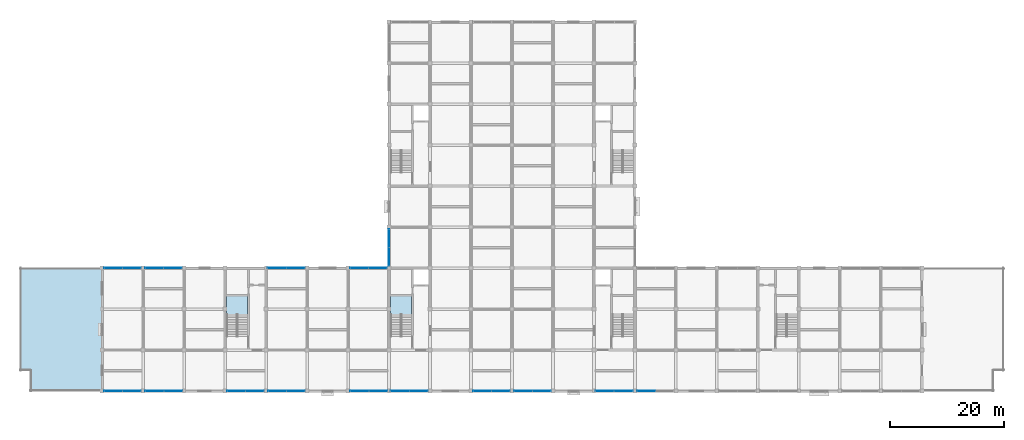
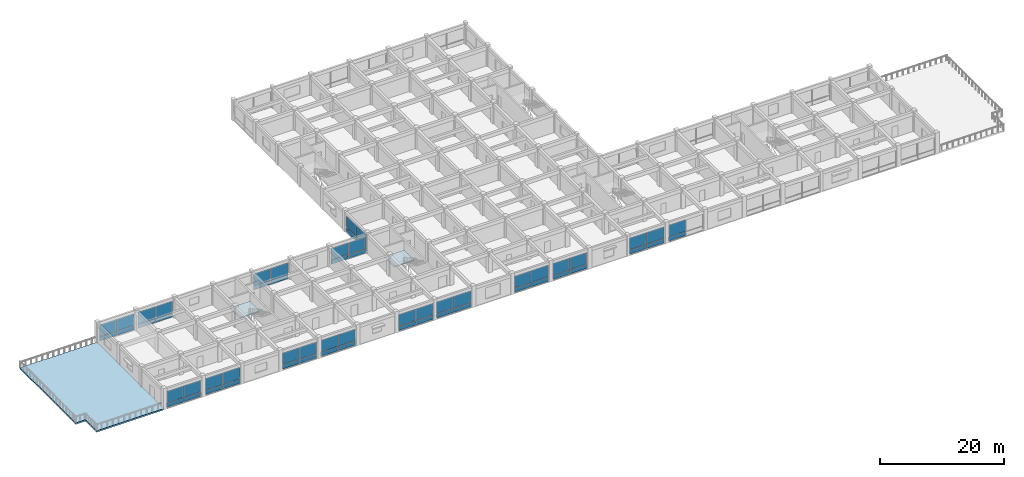
# One storey, part 16 of 31: 58 plates, 3 slabs, 17 elements without a shape of their own.
"""IFC4 building model written with IfcOpenShell, lengths in metres."""

from ifc_helpers import new_model, si_unit, direction, frame, origin, origin_2d, place, context, subcontext, project, spatial, polyline, rectangle, outline, extrude, material, layer, layer_set, type_object, element, aggregate, save


model = new_model("IFC4")

# Units and contexts
model_context = context("Model", 3, precision=1e-05, world=origin(), true_north=direction((0.0, 1.0)))
body_context = subcontext(model_context, "Body", "Model", "MODEL_VIEW")
ifc_project = project(units=[si_unit("LENGTHUNIT", "METRE"), si_unit("AREAUNIT", "SQUARE_METRE"), si_unit("VOLUMEUNIT", "CUBIC_METRE"), si_unit("PLANEANGLEUNIT", "RADIAN"), si_unit("MASSUNIT", "GRAM", prefix="KILO")], contexts=[model_context])

# Site, building, storey
site_placement = place(None, origin())
site = spatial("IfcSite", under=ifc_project, at=site_placement, CompositionType="ELEMENT")
building_placement = place(site_placement, origin())
building = spatial("IfcBuilding", under=site, at=building_placement, Name="Cendaluz Park School", CompositionType="ELEMENT")
storey_placement = place(building_placement, frame((0.0, 0.0, 14.39990234375)))
storey = spatial("IfcBuildingStorey", under=building, at=storey_placement, Name="L03", CompositionType="ELEMENT", Elevation=14.39990234375)

# Curtain wall, plates
ifc_material_1 = material(Name="Anodised Aluminium 6063-T6", Category="aluminium")
ifc_layer_1 = layer(ifc_material_1, 0.179931640625)
ifc_layer_set_1 = layer_set([ifc_layer_1], Name="Anodised Aluminium 6063-T6")
curtain_wall_type_1 = type_object("IfcCurtainWallType", Name="CW-132x66", PredefinedType="NOTDEFINED", material=ifc_layer_set_1)
curtain_wall_1_placement = place(storey_placement, origin())
curtain_wall_1 = element("IfcCurtainWall", 1, at=curtain_wall_1_placement, inside=storey, type_object=curtain_wall_type_1, Name="CW-L03-138", PredefinedType="NOTDEFINED")
ifc_material_2 = material(Name="Tempered Low-E Double Glazing", Category="glass")
ifc_layer_2 = layer(ifc_material_2, 0.028076171875)
ifc_layer_set_2 = layer_set([ifc_layer_2], Name="Tempered Low-E Double Glazing")
plate_type_1 = type_object("IfcPlateType", Name="CWP-G01", PredefinedType="CURTAIN_PANEL", material=ifc_layer_set_2)
plate_1_placement = place(storey_placement, frame((59.617431640625, 7.199951171875, 0.93505859375), z_axis=(0.0, 0.0, 1.0), x_axis=(1.0, 0.0, 0.0)))
plate_1 = element("IfcPlate", 2, at=plate_1_placement, type_object=plate_type_1, Name="CP-L03-1789", PredefinedType="CURTAIN_PANEL", context=body_context, shape_type="SweptSolid", body=[
    extrude(rectangle(XDim=3.195068359375, YDim=0.028076171875, at=origin_2d()), origin(), (0.0, 0.0, 1.0), 2.304931640625),
])
plate_2_placement = place(storey_placement, frame((62.882568359375, 7.199951171875, 0.93505859375), z_axis=(0.0, 0.0, 1.0), x_axis=(1.0, 0.0, 0.0)))
plate_2 = element("IfcPlate", 3, at=plate_2_placement, type_object=plate_type_1, Name="CP-L03-1794", PredefinedType="CURTAIN_PANEL", context=body_context, shape_type="SweptSolid", body=[
    extrude(rectangle(XDim=3.195068359375, YDim=0.028076171875, at=origin_2d()), origin(), (0.0, 0.0, 1.0), 2.304931640625),
])

ifc_layer_3 = layer(ifc_material_1, 0.179931640625)
ifc_layer_set_3 = layer_set([ifc_layer_3], Name="Anodised Aluminium 6063-T6")
curtain_wall_type_2 = type_object("IfcCurtainWallType", Name="CW-130x66", PredefinedType="NOTDEFINED", material=ifc_layer_set_3)
curtain_wall_2_placement = place(storey_placement, origin())
curtain_wall_2 = element("IfcCurtainWall", 4, at=curtain_wall_2_placement, inside=storey, type_object=curtain_wall_type_2, Name="CW-L03-139", PredefinedType="NOTDEFINED")
plate_3_placement = place(storey_placement, frame((59.592529296875, 28.800048828125, 0.93505859375), z_axis=(0.0, 0.0, 1.0), x_axis=(1.0, 0.0, 0.0)))
plate_3 = element("IfcPlate", 5, at=plate_3_placement, type_object=plate_type_1, Name="CP-L03-1802", PredefinedType="CURTAIN_PANEL", context=body_context, shape_type="SweptSolid", body=[
    extrude(rectangle(XDim=3.14501953125, YDim=0.028076171875, at=origin_2d()), origin(), (0.0, 0.0, 1.0), 2.304931640625),
])
plate_4_placement = place(storey_placement, frame((62.8076171875, 28.800048828125, 0.93505859375), z_axis=(0.0, 0.0, 1.0), x_axis=(1.0, 0.0, 0.0)))
plate_4 = element("IfcPlate", 6, at=plate_4_placement, type_object=plate_type_1, Name="CP-L03-1807", PredefinedType="CURTAIN_PANEL", context=body_context, shape_type="SweptSolid", body=[
    extrude(rectangle(XDim=3.14501953125, YDim=0.028076171875, at=origin_2d()), origin(), (0.0, 0.0, 1.0), 2.304931640625),
])

curtain_wall_3_placement = place(storey_placement, origin())
curtain_wall_3 = element("IfcCurtainWall", 7, at=curtain_wall_3_placement, inside=storey, type_object=curtain_wall_type_2, Name="CW-L03-146", PredefinedType="NOTDEFINED")
plate_5_placement = place(storey_placement, frame((88.392578125, 7.199951171875, 0.93505859375), z_axis=(0.0, 0.0, 1.0), x_axis=(1.0, 0.0, 0.0)))
plate_5 = element("IfcPlate", 8, at=plate_5_placement, type_object=plate_type_1, Name="CP-L03-1893", PredefinedType="CURTAIN_PANEL", context=body_context, shape_type="SweptSolid", body=[
    extrude(rectangle(XDim=3.14501953125, YDim=0.028076171875, at=origin_2d()), origin(), (0.0, 0.0, 1.0), 2.304931640625),
])
plate_6_placement = place(storey_placement, frame((91.607421875, 7.199951171875, 0.93505859375), z_axis=(0.0, 0.0, 1.0), x_axis=(1.0, 0.0, 0.0)))
plate_6 = element("IfcPlate", 9, at=plate_6_placement, type_object=plate_type_1, Name="CP-L03-1898", PredefinedType="CURTAIN_PANEL", context=body_context, shape_type="SweptSolid", body=[
    extrude(rectangle(XDim=3.14501953125, YDim=0.028076171875, at=origin_2d()), origin(), (0.0, 0.0, 1.0), 2.304931640625),
])

curtain_wall_4_placement = place(storey_placement, origin())
curtain_wall_4 = element("IfcCurtainWall", 10, at=curtain_wall_4_placement, inside=storey, type_object=curtain_wall_type_2, Name="CW-L03-135", PredefinedType="NOTDEFINED")
ifc_layer_4 = layer(ifc_material_2, 0.0380859375)
ifc_layer_set_4 = layer_set([ifc_layer_4], Name="Tempered Low-E Double Glazing")
plate_type_2 = type_object("IfcPlateType", Name="CWP-G02", PredefinedType="CURTAIN_PANEL", material=ifc_layer_set_4)
plate_7_placement = place(storey_placement, frame((37.992431640625, 7.199951171875, 0.93505859375), z_axis=(0.0, 0.0, 1.0), x_axis=(1.0, 0.0, 0.0)))
plate_7 = element("IfcPlate", 11, at=plate_7_placement, type_object=plate_type_2, Name="CP-L03-1750", PredefinedType="CURTAIN_PANEL", context=body_context, shape_type="SweptSolid", body=[
    extrude(rectangle(XDim=3.14501953125, YDim=0.0380859375, at=origin_2d()), origin(), (0.0, 0.0, 1.0), 2.304931640625),
])
plate_8_placement = place(storey_placement, frame((41.20751953125, 7.199951171875, 0.93505859375), z_axis=(0.0, 0.0, 1.0), x_axis=(1.0, 0.0, 0.0)))
plate_8 = element("IfcPlate", 12, at=plate_8_placement, type_object=plate_type_2, Name="CP-L03-1755", PredefinedType="CURTAIN_PANEL", context=body_context, shape_type="SweptSolid", body=[
    extrude(rectangle(XDim=3.14501953125, YDim=0.0380859375, at=origin_2d()), origin(), (0.0, 0.0, 1.0), 2.304931640625),
])

curtain_wall_5_placement = place(storey_placement, origin())
curtain_wall_5 = element("IfcCurtainWall", 13, at=curtain_wall_5_placement, inside=storey, type_object=curtain_wall_type_1, Name="CW-L03-140", PredefinedType="NOTDEFINED")
plate_9_placement = place(storey_placement, frame((66.717529296875, 7.199951171875, 0.93505859375), z_axis=(0.0, 0.0, 1.0), x_axis=(1.0, 0.0, 0.0)))
plate_9 = element("IfcPlate", 14, at=plate_9_placement, type_object=plate_type_2, Name="CP-L03-1815", PredefinedType="CURTAIN_PANEL", context=body_context, shape_type="SweptSolid", body=[
    extrude(rectangle(XDim=3.195068359375, YDim=0.0380859375, at=origin_2d()), origin(), (0.0, 0.0, 1.0), 2.304931640625),
])
plate_10_placement = place(storey_placement, frame((69.982421875, 7.199951171875, 0.93505859375), z_axis=(0.0, 0.0, 1.0), x_axis=(1.0, 0.0, 0.0)))
plate_10 = element("IfcPlate", 15, at=plate_10_placement, type_object=plate_type_2, Name="CP-L03-1820", PredefinedType="CURTAIN_PANEL", context=body_context, shape_type="SweptSolid", body=[
    extrude(rectangle(XDim=3.195068359375, YDim=0.0380859375, at=origin_2d()), origin(), (0.0, 0.0, 1.0), 2.304931640625),
])

curtain_wall_6_placement = place(storey_placement, origin())
curtain_wall_6 = element("IfcCurtainWall", 16, at=curtain_wall_6_placement, inside=storey, type_object=curtain_wall_type_2, Name="CW-L03-141", PredefinedType="NOTDEFINED")
plate_11_placement = place(storey_placement, frame((64.800048828125, 30.79248046875, 0.93505859375), z_axis=(0.0, 0.0, 1.0), x_axis=(0.0, 1.0, 0.0)))
plate_11 = element("IfcPlate", 17, at=plate_11_placement, type_object=plate_type_2, Name="CP-L03-1828", PredefinedType="CURTAIN_PANEL", context=body_context, shape_type="SweptSolid", body=[
    extrude(rectangle(XDim=3.14501953125, YDim=0.0380859375, at=origin_2d()), origin(), (0.0, 0.0, 1.0), 2.304931640625),
])
plate_12_placement = place(storey_placement, frame((64.800048828125, 34.007568359375, 0.93505859375), z_axis=(0.0, 0.0, 1.0), x_axis=(0.0, 1.0, 0.0)))
plate_12 = element("IfcPlate", 18, at=plate_12_placement, type_object=plate_type_2, Name="CP-L03-1833", PredefinedType="CURTAIN_PANEL", context=body_context, shape_type="SweptSolid", body=[
    extrude(rectangle(XDim=3.14501953125, YDim=0.0380859375, at=origin_2d()), origin(), (0.0, 0.0, 1.0), 2.304931640625),
])

curtain_wall_7_placement = place(storey_placement, origin())
curtain_wall_7 = element("IfcCurtainWall", 19, at=curtain_wall_7_placement, inside=storey, type_object=curtain_wall_type_2, Name="CW-L03-131", PredefinedType="NOTDEFINED")
ifc_layer_5 = layer(ifc_material_2, 0.048095703125)
ifc_layer_set_5 = layer_set([ifc_layer_5], Name="Tempered Low-E Double Glazing")
plate_type_3 = type_object("IfcPlateType", Name="CWP-G03", PredefinedType="CURTAIN_PANEL", material=ifc_layer_set_5)
plate_13_placement = place(storey_placement, frame((16.392578125, 7.199951171875, 0.93505859375), z_axis=(0.0, 0.0, 1.0), x_axis=(1.0, 0.0, 0.0)))
plate_13 = element("IfcPlate", 20, at=plate_13_placement, type_object=plate_type_3, Name="CP-L03-1698", PredefinedType="CURTAIN_PANEL", context=body_context, shape_type="SweptSolid", body=[
    extrude(rectangle(XDim=3.14501953125, YDim=0.048095703125, at=origin_2d()), origin(), (0.0, 0.0, 1.0), 2.304931640625),
])
plate_14_placement = place(storey_placement, frame((19.607421875, 7.199951171875, 0.93505859375), z_axis=(0.0, 0.0, 1.0), x_axis=(1.0, 0.0, 0.0)))
plate_14 = element("IfcPlate", 21, at=plate_14_placement, type_object=plate_type_3, Name="CP-L03-1703", PredefinedType="CURTAIN_PANEL", context=body_context, shape_type="SweptSolid", body=[
    extrude(rectangle(XDim=3.14501953125, YDim=0.048095703125, at=origin_2d()), origin(), (0.0, 0.0, 1.0), 2.304931640625),
])

curtain_wall_8_placement = place(storey_placement, origin())
curtain_wall_8 = element("IfcCurtainWall", 22, at=curtain_wall_8_placement, inside=storey, type_object=curtain_wall_type_2, Name="CW-L03-132", PredefinedType="NOTDEFINED")
plate_15_placement = place(storey_placement, frame((16.392578125, 28.800048828125, 0.93505859375), z_axis=(0.0, 0.0, 1.0), x_axis=(1.0, 0.0, 0.0)))
plate_15 = element("IfcPlate", 23, at=plate_15_placement, type_object=plate_type_3, Name="CP-L03-1711", PredefinedType="CURTAIN_PANEL", context=body_context, shape_type="SweptSolid", body=[
    extrude(rectangle(XDim=3.14501953125, YDim=0.048095703125, at=origin_2d()), origin(), (0.0, 0.0, 1.0), 2.304931640625),
])
plate_16_placement = place(storey_placement, frame((19.607421875, 28.800048828125, 0.93505859375), z_axis=(0.0, 0.0, 1.0), x_axis=(1.0, 0.0, 0.0)))
plate_16 = element("IfcPlate", 24, at=plate_16_placement, type_object=plate_type_3, Name="CP-L03-1716", PredefinedType="CURTAIN_PANEL", context=body_context, shape_type="SweptSolid", body=[
    extrude(rectangle(XDim=3.14501953125, YDim=0.048095703125, at=origin_2d()), origin(), (0.0, 0.0, 1.0), 2.304931640625),
])

curtain_wall_9_placement = place(storey_placement, origin())
curtain_wall_9 = element("IfcCurtainWall", 25, at=curtain_wall_9_placement, inside=storey, type_object=curtain_wall_type_2, Name="CW-L03-136", PredefinedType="NOTDEFINED")
plate_17_placement = place(storey_placement, frame((45.1923828125, 7.199951171875, 0.93505859375), z_axis=(0.0, 0.0, 1.0), x_axis=(1.0, 0.0, 0.0)))
plate_17 = element("IfcPlate", 26, at=plate_17_placement, type_object=plate_type_3, Name="CP-L03-1763", PredefinedType="CURTAIN_PANEL", context=body_context, shape_type="SweptSolid", body=[
    extrude(rectangle(XDim=3.14501953125, YDim=0.048095703125, at=origin_2d()), origin(), (0.0, 0.0, 1.0), 2.304931640625),
])
plate_18_placement = place(storey_placement, frame((48.407470703125, 7.199951171875, 0.93505859375), z_axis=(0.0, 0.0, 1.0), x_axis=(1.0, 0.0, 0.0)))
plate_18 = element("IfcPlate", 27, at=plate_18_placement, type_object=plate_type_3, Name="CP-L03-1768", PredefinedType="CURTAIN_PANEL", context=body_context, shape_type="SweptSolid", body=[
    extrude(rectangle(XDim=3.14501953125, YDim=0.048095703125, at=origin_2d()), origin(), (0.0, 0.0, 1.0), 2.304931640625),
])

curtain_wall_10_placement = place(storey_placement, origin())
curtain_wall_10 = element("IfcCurtainWall", 28, at=curtain_wall_10_placement, inside=storey, type_object=curtain_wall_type_1, Name="CW-L03-137", PredefinedType="NOTDEFINED")
plate_19_placement = place(storey_placement, frame((45.117431640625, 28.800048828125, 0.93505859375), z_axis=(0.0, 0.0, 1.0), x_axis=(1.0, 0.0, 0.0)))
plate_19 = element("IfcPlate", 29, at=plate_19_placement, type_object=plate_type_3, Name="CP-L03-1776", PredefinedType="CURTAIN_PANEL", context=body_context, shape_type="SweptSolid", body=[
    extrude(rectangle(XDim=3.195068359375, YDim=0.048095703125, at=origin_2d()), origin(), (0.0, 0.0, 1.0), 2.304931640625),
])
plate_20_placement = place(storey_placement, frame((48.382568359375, 28.800048828125, 0.93505859375), z_axis=(0.0, 0.0, 1.0), x_axis=(1.0, 0.0, 0.0)))
plate_20 = element("IfcPlate", 30, at=plate_20_placement, type_object=plate_type_3, Name="CP-L03-1781", PredefinedType="CURTAIN_PANEL", context=body_context, shape_type="SweptSolid", body=[
    extrude(rectangle(XDim=3.195068359375, YDim=0.048095703125, at=origin_2d()), origin(), (0.0, 0.0, 1.0), 2.304931640625),
])

curtain_wall_11_placement = place(storey_placement, origin())
curtain_wall_11 = element("IfcCurtainWall", 31, at=curtain_wall_11_placement, inside=storey, type_object=curtain_wall_type_1, Name="CW-L03-148", PredefinedType="NOTDEFINED")
plate_21_placement = place(storey_placement, frame((102.717529296875, 7.199951171875, 0.93505859375), z_axis=(0.0, 0.0, 1.0), x_axis=(1.0, 0.0, 0.0)))
plate_21 = element("IfcPlate", 32, at=plate_21_placement, type_object=plate_type_3, Name="CP-L03-1919", PredefinedType="CURTAIN_PANEL", context=body_context, shape_type="SweptSolid", body=[
    extrude(rectangle(XDim=3.195068359375, YDim=0.048095703125, at=origin_2d()), origin(), (0.0, 0.0, 1.0), 2.304931640625),
])
plate_22_placement = place(storey_placement, frame((105.982421875, 7.199951171875, 0.93505859375), z_axis=(0.0, 0.0, 1.0), x_axis=(1.0, 0.0, 0.0)))
plate_22 = element("IfcPlate", 33, at=plate_22_placement, type_object=plate_type_3, Name="CP-L03-1924", PredefinedType="CURTAIN_PANEL", context=body_context, shape_type="SweptSolid", body=[
    extrude(rectangle(XDim=3.195068359375, YDim=0.048095703125, at=origin_2d()), origin(), (0.0, 0.0, 1.0), 2.304931640625),
])

curtain_wall_12_placement = place(storey_placement, origin())
curtain_wall_12 = element("IfcCurtainWall", 34, at=curtain_wall_12_placement, inside=storey, type_object=curtain_wall_type_1, Name="CW-L03-133", PredefinedType="NOTDEFINED")
ifc_layer_6 = layer(ifc_material_2, 0.05810546875)
ifc_layer_set_6 = layer_set([ifc_layer_6], Name="Tempered Low-E Double Glazing")
plate_type_4 = type_object("IfcPlateType", Name="CWP-G04", PredefinedType="CURTAIN_PANEL", material=ifc_layer_set_6)
plate_23_placement = place(storey_placement, frame((23.617431640625, 7.199951171875, 0.93505859375), z_axis=(0.0, 0.0, 1.0), x_axis=(1.0, 0.0, 0.0)))
plate_23 = element("IfcPlate", 35, at=plate_23_placement, type_object=plate_type_4, Name="CP-L03-1724", PredefinedType="CURTAIN_PANEL", context=body_context, shape_type="SweptSolid", body=[
    extrude(rectangle(XDim=3.195068359375, YDim=0.05810546875, at=origin_2d()), origin(), (0.0, 0.0, 1.0), 2.304931640625),
])
plate_24_placement = place(storey_placement, frame((26.882568359375, 7.199951171875, 0.93505859375), z_axis=(0.0, 0.0, 1.0), x_axis=(1.0, 0.0, 0.0)))
plate_24 = element("IfcPlate", 36, at=plate_24_placement, type_object=plate_type_4, Name="CP-L03-1729", PredefinedType="CURTAIN_PANEL", context=body_context, shape_type="SweptSolid", body=[
    extrude(rectangle(XDim=3.195068359375, YDim=0.05810546875, at=origin_2d()), origin(), (0.0, 0.0, 1.0), 2.304931640625),
])

curtain_wall_13_placement = place(storey_placement, origin())
curtain_wall_13 = element("IfcCurtainWall", 37, at=curtain_wall_13_placement, inside=storey, type_object=curtain_wall_type_2, Name="CW-L03-134", PredefinedType="NOTDEFINED")
plate_25_placement = place(storey_placement, frame((23.592529296875, 28.800048828125, 0.93505859375), z_axis=(0.0, 0.0, 1.0), x_axis=(1.0, 0.0, 0.0)))
plate_25 = element("IfcPlate", 38, at=plate_25_placement, type_object=plate_type_4, Name="CP-L03-1737", PredefinedType="CURTAIN_PANEL", context=body_context, shape_type="SweptSolid", body=[
    extrude(rectangle(XDim=3.14501953125, YDim=0.05810546875, at=origin_2d()), origin(), (0.0, 0.0, 1.0), 2.304931640625),
])
plate_26_placement = place(storey_placement, frame((26.8076171875, 28.800048828125, 0.93505859375), z_axis=(0.0, 0.0, 1.0), x_axis=(1.0, 0.0, 0.0)))
plate_26 = element("IfcPlate", 39, at=plate_26_placement, type_object=plate_type_4, Name="CP-L03-1742", PredefinedType="CURTAIN_PANEL", context=body_context, shape_type="SweptSolid", body=[
    extrude(rectangle(XDim=3.14501953125, YDim=0.05810546875, at=origin_2d()), origin(), (0.0, 0.0, 1.0), 2.304931640625),
])

curtain_wall_14_placement = place(storey_placement, origin())
curtain_wall_14 = element("IfcCurtainWall", 40, at=curtain_wall_14_placement, inside=storey, type_object=curtain_wall_type_2, Name="CW-L03-144", PredefinedType="NOTDEFINED")
plate_27_placement = place(storey_placement, frame((81.1923828125, 7.199951171875, 0.93505859375), z_axis=(0.0, 0.0, 1.0), x_axis=(1.0, 0.0, 0.0)))
plate_27 = element("IfcPlate", 41, at=plate_27_placement, type_object=plate_type_4, Name="CP-L03-1867", PredefinedType="CURTAIN_PANEL", context=body_context, shape_type="SweptSolid", body=[
    extrude(rectangle(XDim=3.14501953125, YDim=0.05810546875, at=origin_2d()), origin(), (0.0, 0.0, 1.0), 2.304931640625),
])
plate_28_placement = place(storey_placement, frame((84.407470703125, 7.199951171875, 0.93505859375), z_axis=(0.0, 0.0, 1.0), x_axis=(1.0, 0.0, 0.0)))
plate_28 = element("IfcPlate", 42, at=plate_28_placement, type_object=plate_type_4, Name="CP-L03-1872", PredefinedType="CURTAIN_PANEL", context=body_context, shape_type="SweptSolid", body=[
    extrude(rectangle(XDim=3.14501953125, YDim=0.05810546875, at=origin_2d()), origin(), (0.0, 0.0, 1.0), 2.304931640625),
])

# Curtain wall, plate
curtain_wall_15_placement = place(storey_placement, origin())
curtain_wall_15 = element("IfcCurtainWall", 43, at=curtain_wall_15_placement, inside=storey, type_object=curtain_wall_type_2, Name="CW-L03-152", PredefinedType="NOTDEFINED")
plate_29_placement = place(storey_placement, frame((109.992431640625, 7.199951171875, 0.93505859375), z_axis=(0.0, 0.0, 1.0), x_axis=(1.0, 0.0, 0.0)))
plate_29 = element("IfcPlate", 44, at=plate_29_placement, type_object=plate_type_4, Name="CP-L03-1971", PredefinedType="CURTAIN_PANEL", context=body_context, shape_type="SweptSolid", body=[
    extrude(rectangle(XDim=3.14501953125, YDim=0.05810546875, at=origin_2d()), origin(), (0.0, 0.0, 1.0), 2.304931640625),
])

# Plate
ifc_layer_7 = layer(ifc_material_1, 0.080078125)
ifc_layer_set_7 = layer_set([ifc_layer_7], Name="Anodised Aluminium 6063-T6")
plate_type_5 = type_object("IfcPlateType", Name="CWP-S01", PredefinedType="CURTAIN_PANEL", material=ifc_layer_set_7)
plate_30_placement = place(storey_placement, frame((16.392578125, 28.800048828125, 0.070068359375), z_axis=(0.0, 0.0, 1.0), x_axis=(1.0, 0.0, 0.0)))
plate_30 = element("IfcPlate", 45, at=plate_30_placement, type_object=plate_type_5, Name="CP-L03-1710", PredefinedType="CURTAIN_PANEL", context=body_context, shape_type="SweptSolid", body=[
    extrude(rectangle(XDim=3.14501953125, YDim=0.080078125, at=origin_2d()), origin(), (0.0, 0.0, 1.0), 0.794921875),
])

plate_31_placement = place(storey_placement, frame((19.607421875, 28.800048828125, 0.070068359375), z_axis=(0.0, 0.0, 1.0), x_axis=(1.0, 0.0, 0.0)))
plate_31 = element("IfcPlate", 46, at=plate_31_placement, type_object=plate_type_5, Name="CP-L03-1715", PredefinedType="CURTAIN_PANEL", context=body_context, shape_type="SweptSolid", body=[
    extrude(rectangle(XDim=3.14501953125, YDim=0.080078125, at=origin_2d()), origin(), (0.0, 0.0, 1.0), 0.794921875),
])

aggregate(curtain_wall_8, [plate_30, plate_15, plate_31, plate_16])

plate_32_placement = place(storey_placement, frame((23.592529296875, 28.800048828125, 0.070068359375), z_axis=(0.0, 0.0, 1.0), x_axis=(1.0, 0.0, 0.0)))
plate_32 = element("IfcPlate", 47, at=plate_32_placement, type_object=plate_type_5, Name="CP-L03-1736", PredefinedType="CURTAIN_PANEL", context=body_context, shape_type="SweptSolid", body=[
    extrude(rectangle(XDim=3.14501953125, YDim=0.080078125, at=origin_2d()), origin(), (0.0, 0.0, 1.0), 0.794921875),
])

plate_33_placement = place(storey_placement, frame((26.8076171875, 28.800048828125, 0.070068359375), z_axis=(0.0, 0.0, 1.0), x_axis=(1.0, 0.0, 0.0)))
plate_33 = element("IfcPlate", 48, at=plate_33_placement, type_object=plate_type_5, Name="CP-L03-1741", PredefinedType="CURTAIN_PANEL", context=body_context, shape_type="SweptSolid", body=[
    extrude(rectangle(XDim=3.14501953125, YDim=0.080078125, at=origin_2d()), origin(), (0.0, 0.0, 1.0), 0.794921875),
])

aggregate(curtain_wall_13, [plate_32, plate_25, plate_33, plate_26])

plate_34_placement = place(storey_placement, frame((45.117431640625, 28.800048828125, 0.070068359375), z_axis=(0.0, 0.0, 1.0), x_axis=(1.0, 0.0, 0.0)))
plate_34 = element("IfcPlate", 49, at=plate_34_placement, type_object=plate_type_5, Name="CP-L03-1775", PredefinedType="CURTAIN_PANEL", context=body_context, shape_type="SweptSolid", body=[
    extrude(rectangle(XDim=3.195068359375, YDim=0.080078125, at=origin_2d()), origin(), (0.0, 0.0, 1.0), 0.794921875),
])

plate_35_placement = place(storey_placement, frame((48.382568359375, 28.800048828125, 0.070068359375), z_axis=(0.0, 0.0, 1.0), x_axis=(1.0, 0.0, 0.0)))
plate_35 = element("IfcPlate", 50, at=plate_35_placement, type_object=plate_type_5, Name="CP-L03-1780", PredefinedType="CURTAIN_PANEL", context=body_context, shape_type="SweptSolid", body=[
    extrude(rectangle(XDim=3.195068359375, YDim=0.080078125, at=origin_2d()), origin(), (0.0, 0.0, 1.0), 0.794921875),
])

aggregate(curtain_wall_10, [plate_34, plate_19, plate_35, plate_20])

plate_36_placement = place(storey_placement, frame((59.592529296875, 28.800048828125, 0.070068359375), z_axis=(0.0, 0.0, 1.0), x_axis=(1.0, 0.0, 0.0)))
plate_36 = element("IfcPlate", 51, at=plate_36_placement, type_object=plate_type_5, Name="CP-L03-1801", PredefinedType="CURTAIN_PANEL", context=body_context, shape_type="SweptSolid", body=[
    extrude(rectangle(XDim=3.14501953125, YDim=0.080078125, at=origin_2d()), origin(), (0.0, 0.0, 1.0), 0.794921875),
])

plate_37_placement = place(storey_placement, frame((62.8076171875, 28.800048828125, 0.070068359375), z_axis=(0.0, 0.0, 1.0), x_axis=(1.0, 0.0, 0.0)))
plate_37 = element("IfcPlate", 52, at=plate_37_placement, type_object=plate_type_5, Name="CP-L03-1806", PredefinedType="CURTAIN_PANEL", context=body_context, shape_type="SweptSolid", body=[
    extrude(rectangle(XDim=3.14501953125, YDim=0.080078125, at=origin_2d()), origin(), (0.0, 0.0, 1.0), 0.794921875),
])

aggregate(curtain_wall_2, [plate_36, plate_3, plate_37, plate_4])

plate_38_placement = place(storey_placement, frame((64.800048828125, 30.79248046875, 0.070068359375), z_axis=(0.0, 0.0, 1.0), x_axis=(0.0, 1.0, 0.0)))
plate_38 = element("IfcPlate", 53, at=plate_38_placement, type_object=plate_type_5, Name="CP-L03-1827", PredefinedType="CURTAIN_PANEL", context=body_context, shape_type="SweptSolid", body=[
    extrude(rectangle(XDim=3.14501953125, YDim=0.080078125, at=origin_2d()), origin(), (0.0, 0.0, 1.0), 0.794921875),
])

plate_39_placement = place(storey_placement, frame((64.800048828125, 34.007568359375, 0.070068359375), z_axis=(0.0, 0.0, 1.0), x_axis=(0.0, 1.0, 0.0)))
plate_39 = element("IfcPlate", 54, at=plate_39_placement, type_object=plate_type_5, Name="CP-L03-1832", PredefinedType="CURTAIN_PANEL", context=body_context, shape_type="SweptSolid", body=[
    extrude(rectangle(XDim=3.14501953125, YDim=0.080078125, at=origin_2d()), origin(), (0.0, 0.0, 1.0), 0.794921875),
])

aggregate(curtain_wall_6, [plate_38, plate_11, plate_39, plate_12])

ifc_layer_8 = layer(ifc_material_1, 0.094970703125)
ifc_layer_set_8 = layer_set([ifc_layer_8], Name="Anodised Aluminium 6063-T6")
plate_type_6 = type_object("IfcPlateType", Name="CWP-S02", PredefinedType="CURTAIN_PANEL", material=ifc_layer_set_8)
plate_40_placement = place(storey_placement, frame((16.392578125, 7.199951171875, 0.070068359375), z_axis=(0.0, 0.0, 1.0), x_axis=(1.0, 0.0, 0.0)))
plate_40 = element("IfcPlate", 55, at=plate_40_placement, type_object=plate_type_6, Name="CP-L03-1697", PredefinedType="CURTAIN_PANEL", context=body_context, shape_type="SweptSolid", body=[
    extrude(rectangle(XDim=3.14501953125, YDim=0.094970703125, at=origin_2d()), origin(), (0.0, 0.0, 1.0), 0.794921875),
])

plate_41_placement = place(storey_placement, frame((19.607421875, 7.199951171875, 0.070068359375), z_axis=(0.0, 0.0, 1.0), x_axis=(1.0, 0.0, 0.0)))
plate_41 = element("IfcPlate", 56, at=plate_41_placement, type_object=plate_type_6, Name="CP-L03-1702", PredefinedType="CURTAIN_PANEL", context=body_context, shape_type="SweptSolid", body=[
    extrude(rectangle(XDim=3.14501953125, YDim=0.094970703125, at=origin_2d()), origin(), (0.0, 0.0, 1.0), 0.794921875),
])

aggregate(curtain_wall_7, [plate_40, plate_13, plate_41, plate_14])

plate_42_placement = place(storey_placement, frame((23.617431640625, 7.199951171875, 0.070068359375), z_axis=(0.0, 0.0, 1.0), x_axis=(1.0, 0.0, 0.0)))
plate_42 = element("IfcPlate", 57, at=plate_42_placement, type_object=plate_type_6, Name="CP-L03-1723", PredefinedType="CURTAIN_PANEL", context=body_context, shape_type="SweptSolid", body=[
    extrude(rectangle(XDim=3.195068359375, YDim=0.094970703125, at=origin_2d()), origin(), (0.0, 0.0, 1.0), 0.794921875),
])

plate_43_placement = place(storey_placement, frame((26.882568359375, 7.199951171875, 0.070068359375), z_axis=(0.0, 0.0, 1.0), x_axis=(1.0, 0.0, 0.0)))
plate_43 = element("IfcPlate", 58, at=plate_43_placement, type_object=plate_type_6, Name="CP-L03-1728", PredefinedType="CURTAIN_PANEL", context=body_context, shape_type="SweptSolid", body=[
    extrude(rectangle(XDim=3.195068359375, YDim=0.094970703125, at=origin_2d()), origin(), (0.0, 0.0, 1.0), 0.794921875),
])

aggregate(curtain_wall_12, [plate_42, plate_23, plate_43, plate_24])

plate_44_placement = place(storey_placement, frame((37.992431640625, 7.199951171875, 0.070068359375), z_axis=(0.0, 0.0, 1.0), x_axis=(1.0, 0.0, 0.0)))
plate_44 = element("IfcPlate", 59, at=plate_44_placement, type_object=plate_type_6, Name="CP-L03-1749", PredefinedType="CURTAIN_PANEL", context=body_context, shape_type="SweptSolid", body=[
    extrude(rectangle(XDim=3.14501953125, YDim=0.094970703125, at=origin_2d()), origin(), (0.0, 0.0, 1.0), 0.794921875),
])

plate_45_placement = place(storey_placement, frame((41.20751953125, 7.199951171875, 0.070068359375), z_axis=(0.0, 0.0, 1.0), x_axis=(1.0, 0.0, 0.0)))
plate_45 = element("IfcPlate", 60, at=plate_45_placement, type_object=plate_type_6, Name="CP-L03-1754", PredefinedType="CURTAIN_PANEL", context=body_context, shape_type="SweptSolid", body=[
    extrude(rectangle(XDim=3.14501953125, YDim=0.094970703125, at=origin_2d()), origin(), (0.0, 0.0, 1.0), 0.794921875),
])

aggregate(curtain_wall_4, [plate_44, plate_7, plate_45, plate_8])

plate_46_placement = place(storey_placement, frame((45.1923828125, 7.199951171875, 0.070068359375), z_axis=(0.0, 0.0, 1.0), x_axis=(1.0, 0.0, 0.0)))
plate_46 = element("IfcPlate", 61, at=plate_46_placement, type_object=plate_type_6, Name="CP-L03-1762", PredefinedType="CURTAIN_PANEL", context=body_context, shape_type="SweptSolid", body=[
    extrude(rectangle(XDim=3.14501953125, YDim=0.094970703125, at=origin_2d()), origin(), (0.0, 0.0, 1.0), 0.794921875),
])

plate_47_placement = place(storey_placement, frame((48.407470703125, 7.199951171875, 0.070068359375), z_axis=(0.0, 0.0, 1.0), x_axis=(1.0, 0.0, 0.0)))
plate_47 = element("IfcPlate", 62, at=plate_47_placement, type_object=plate_type_6, Name="CP-L03-1767", PredefinedType="CURTAIN_PANEL", context=body_context, shape_type="SweptSolid", body=[
    extrude(rectangle(XDim=3.14501953125, YDim=0.094970703125, at=origin_2d()), origin(), (0.0, 0.0, 1.0), 0.794921875),
])

aggregate(curtain_wall_9, [plate_46, plate_17, plate_47, plate_18])

plate_48_placement = place(storey_placement, frame((59.617431640625, 7.199951171875, 0.070068359375), z_axis=(0.0, 0.0, 1.0), x_axis=(1.0, 0.0, 0.0)))
plate_48 = element("IfcPlate", 63, at=plate_48_placement, type_object=plate_type_6, Name="CP-L03-1788", PredefinedType="CURTAIN_PANEL", context=body_context, shape_type="SweptSolid", body=[
    extrude(rectangle(XDim=3.195068359375, YDim=0.094970703125, at=origin_2d()), origin(), (0.0, 0.0, 1.0), 0.794921875),
])

plate_49_placement = place(storey_placement, frame((62.882568359375, 7.199951171875, 0.070068359375), z_axis=(0.0, 0.0, 1.0), x_axis=(1.0, 0.0, 0.0)))
plate_49 = element("IfcPlate", 64, at=plate_49_placement, type_object=plate_type_6, Name="CP-L03-1793", PredefinedType="CURTAIN_PANEL", context=body_context, shape_type="SweptSolid", body=[
    extrude(rectangle(XDim=3.195068359375, YDim=0.094970703125, at=origin_2d()), origin(), (0.0, 0.0, 1.0), 0.794921875),
])

aggregate(curtain_wall_1, [plate_48, plate_1, plate_49, plate_2])

plate_50_placement = place(storey_placement, frame((66.717529296875, 7.199951171875, 0.070068359375), z_axis=(0.0, 0.0, 1.0), x_axis=(1.0, 0.0, 0.0)))
plate_50 = element("IfcPlate", 65, at=plate_50_placement, type_object=plate_type_6, Name="CP-L03-1814", PredefinedType="CURTAIN_PANEL", context=body_context, shape_type="SweptSolid", body=[
    extrude(rectangle(XDim=3.195068359375, YDim=0.094970703125, at=origin_2d()), origin(), (0.0, 0.0, 1.0), 0.794921875),
])

plate_51_placement = place(storey_placement, frame((69.982421875, 7.199951171875, 0.070068359375), z_axis=(0.0, 0.0, 1.0), x_axis=(1.0, 0.0, 0.0)))
plate_51 = element("IfcPlate", 66, at=plate_51_placement, type_object=plate_type_6, Name="CP-L03-1819", PredefinedType="CURTAIN_PANEL", context=body_context, shape_type="SweptSolid", body=[
    extrude(rectangle(XDim=3.195068359375, YDim=0.094970703125, at=origin_2d()), origin(), (0.0, 0.0, 1.0), 0.794921875),
])

aggregate(curtain_wall_5, [plate_50, plate_9, plate_51, plate_10])

plate_52_placement = place(storey_placement, frame((81.1923828125, 7.199951171875, 0.070068359375), z_axis=(0.0, 0.0, 1.0), x_axis=(1.0, 0.0, 0.0)))
plate_52 = element("IfcPlate", 67, at=plate_52_placement, type_object=plate_type_6, Name="CP-L03-1866", PredefinedType="CURTAIN_PANEL", context=body_context, shape_type="SweptSolid", body=[
    extrude(rectangle(XDim=3.14501953125, YDim=0.094970703125, at=origin_2d()), origin(), (0.0, 0.0, 1.0), 0.794921875),
])

plate_53_placement = place(storey_placement, frame((84.407470703125, 7.199951171875, 0.070068359375), z_axis=(0.0, 0.0, 1.0), x_axis=(1.0, 0.0, 0.0)))
plate_53 = element("IfcPlate", 68, at=plate_53_placement, type_object=plate_type_6, Name="CP-L03-1871", PredefinedType="CURTAIN_PANEL", context=body_context, shape_type="SweptSolid", body=[
    extrude(rectangle(XDim=3.14501953125, YDim=0.094970703125, at=origin_2d()), origin(), (0.0, 0.0, 1.0), 0.794921875),
])

aggregate(curtain_wall_14, [plate_52, plate_27, plate_53, plate_28])

plate_54_placement = place(storey_placement, frame((88.392578125, 7.199951171875, 0.070068359375), z_axis=(0.0, 0.0, 1.0), x_axis=(1.0, 0.0, 0.0)))
plate_54 = element("IfcPlate", 69, at=plate_54_placement, type_object=plate_type_6, Name="CP-L03-1892", PredefinedType="CURTAIN_PANEL", context=body_context, shape_type="SweptSolid", body=[
    extrude(rectangle(XDim=3.14501953125, YDim=0.094970703125, at=origin_2d()), origin(), (0.0, 0.0, 1.0), 0.794921875),
])

plate_55_placement = place(storey_placement, frame((91.607421875, 7.199951171875, 0.070068359375), z_axis=(0.0, 0.0, 1.0), x_axis=(1.0, 0.0, 0.0)))
plate_55 = element("IfcPlate", 70, at=plate_55_placement, type_object=plate_type_6, Name="CP-L03-1897", PredefinedType="CURTAIN_PANEL", context=body_context, shape_type="SweptSolid", body=[
    extrude(rectangle(XDim=3.14501953125, YDim=0.094970703125, at=origin_2d()), origin(), (0.0, 0.0, 1.0), 0.794921875),
])

aggregate(curtain_wall_3, [plate_54, plate_5, plate_55, plate_6])

plate_56_placement = place(storey_placement, frame((102.717529296875, 7.199951171875, 0.070068359375), z_axis=(0.0, 0.0, 1.0), x_axis=(1.0, 0.0, 0.0)))
plate_56 = element("IfcPlate", 71, at=plate_56_placement, type_object=plate_type_6, Name="CP-L03-1918", PredefinedType="CURTAIN_PANEL", context=body_context, shape_type="SweptSolid", body=[
    extrude(rectangle(XDim=3.195068359375, YDim=0.094970703125, at=origin_2d()), origin(), (0.0, 0.0, 1.0), 0.794921875),
])

plate_57_placement = place(storey_placement, frame((105.982421875, 7.199951171875, 0.070068359375), z_axis=(0.0, 0.0, 1.0), x_axis=(1.0, 0.0, 0.0)))
plate_57 = element("IfcPlate", 72, at=plate_57_placement, type_object=plate_type_6, Name="CP-L03-1923", PredefinedType="CURTAIN_PANEL", context=body_context, shape_type="SweptSolid", body=[
    extrude(rectangle(XDim=3.195068359375, YDim=0.094970703125, at=origin_2d()), origin(), (0.0, 0.0, 1.0), 0.794921875),
])

aggregate(curtain_wall_11, [plate_56, plate_21, plate_57, plate_22])

plate_58_placement = place(storey_placement, frame((109.992431640625, 7.199951171875, 0.070068359375), z_axis=(0.0, 0.0, 1.0), x_axis=(1.0, 0.0, 0.0)))
plate_58 = element("IfcPlate", 73, at=plate_58_placement, type_object=plate_type_6, Name="CP-L03-1970", PredefinedType="CURTAIN_PANEL", context=body_context, shape_type="SweptSolid", body=[
    extrude(rectangle(XDim=3.14501953125, YDim=0.094970703125, at=origin_2d()), origin(), (0.0, 0.0, 1.0), 0.794921875),
])

aggregate(curtain_wall_15, [plate_58, plate_29])

# Stair, slab
ifc_material_3 = material(Name="Concrete C40/50", Category="concrete")
stair_type = type_object("IfcStairType", Name="ST-420-180", PredefinedType="HALF_TURN_STAIR", material=ifc_material_3)
stair_1_placement = place(storey_placement, origin())
stair_1 = element("IfcStair", 74, at=stair_1_placement, inside=storey, type_object=stair_type, Name="ST-L03-C1", PredefinedType="HALF_TURN_STAIR")
ifc_layer_9 = layer(ifc_material_3, 0.199951171875)
ifc_layer_set_9 = layer_set([ifc_layer_9], Name="Concrete C40/50")
slab_type_1 = type_object("IfcSlabType", Name="SL-LD-200", PredefinedType="LANDING", material=ifc_layer_set_9)
slab_1_placement = place(storey_placement, frame((0.0, 0.0, 1.900146484375)))
slab_1 = element("IfcSlab", 75, at=slab_1_placement, type_object=slab_type_1, Name="SL-LD-L03-C1", PredefinedType="LANDING", context=body_context, shape_type="SweptSolid", body=[
    extrude(outline(polyline([(65.090087890625, 20.659912109375), (68.77001953125, 20.659912109375), (68.77001953125, 23.860107421875), (65.090087890625, 23.860107421875), (65.090087890625, 20.659912109375)])), origin(), (0.0, 0.0, 1.0), 0.199951171875),
])
aggregate(stair_1, [slab_1])

stair_2_placement = place(storey_placement, origin())
stair_2 = element("IfcStair", 76, at=stair_2_placement, inside=storey, type_object=stair_type, Name="ST-L03-C5", PredefinedType="HALF_TURN_STAIR")
slab_2_placement = place(storey_placement, frame((0.0, 0.0, 1.900146484375)))
slab_2 = element("IfcSlab", 77, at=slab_2_placement, type_object=slab_type_1, Name="SL-LD-L03-C5", PredefinedType="LANDING", context=body_context, shape_type="SweptSolid", body=[
    extrude(outline(polyline([(36.2900390625, 20.659912109375), (39.969970703125, 20.659912109375), (39.969970703125, 23.860107421875), (36.2900390625, 23.860107421875), (36.2900390625, 20.659912109375)])), origin(), (0.0, 0.0, 1.0), 0.199951171875),
])
aggregate(stair_2, [slab_2])

# Slab
ifc_layer_10 = layer(ifc_material_3, 0.2900390625)
ifc_layer_set_10 = layer_set([ifc_layer_10], Name="Concrete C40/50")
slab_type_2 = type_object("IfcSlabType", Name="SL-PD-290", PredefinedType="FLOOR", material=ifc_layer_set_10)
slab_3_placement = place(storey_placement, frame((0.0, 0.0, -0.289794921875)))
element("IfcSlab", 78, at=slab_3_placement, inside=storey, type_object=slab_type_2, Name="Play Deck Slab PD-L03-W", PredefinedType="FLOOR", context=body_context, shape_type="SweptSolid", body=[
    extrude(outline(polyline([(0.0, 28.800048828125), (14.39990234375, 28.800048828125), (14.39990234375, 7.199951171875), (1.800048828125, 7.199951171875), (1.800048828125, 10.800048828125), (0.0, 10.800048828125), (0.0, 28.800048828125)])), origin(), (0.0, 0.0, 1.0), 0.289794921875),
])

save(model, "model.ifc")
